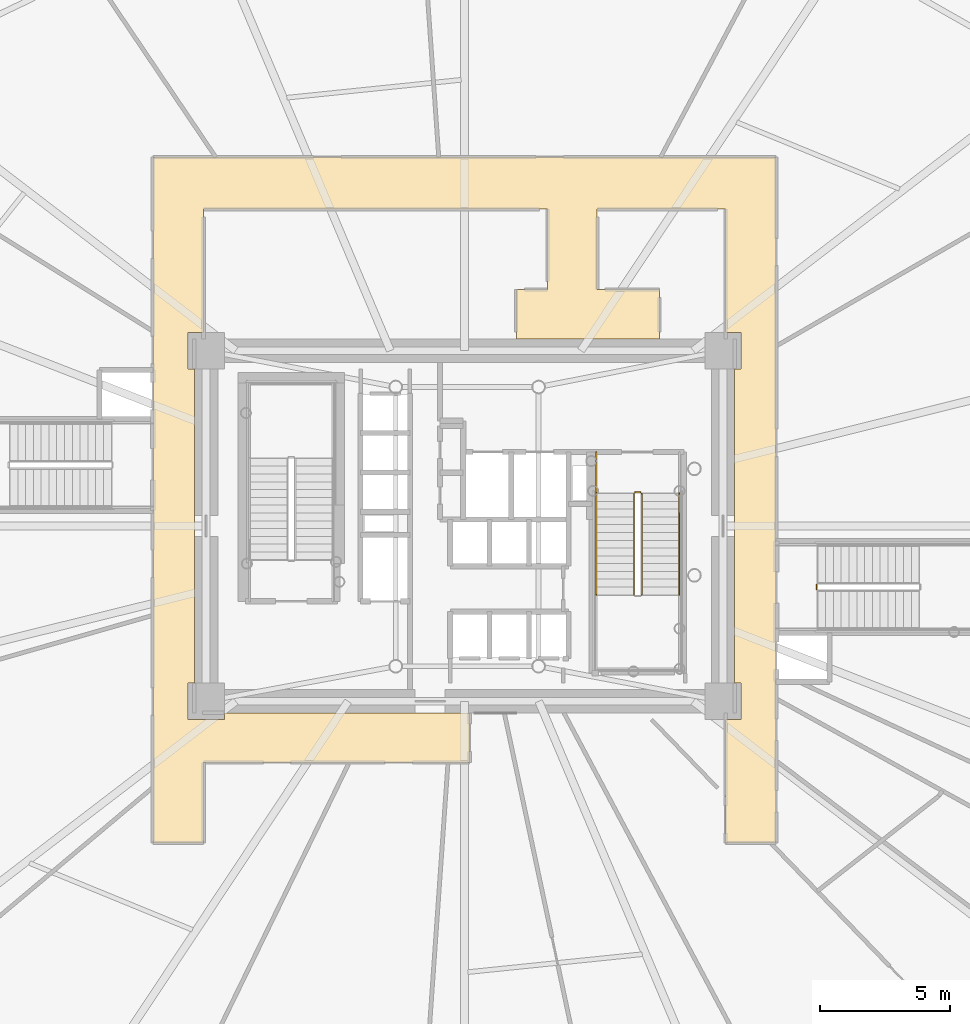
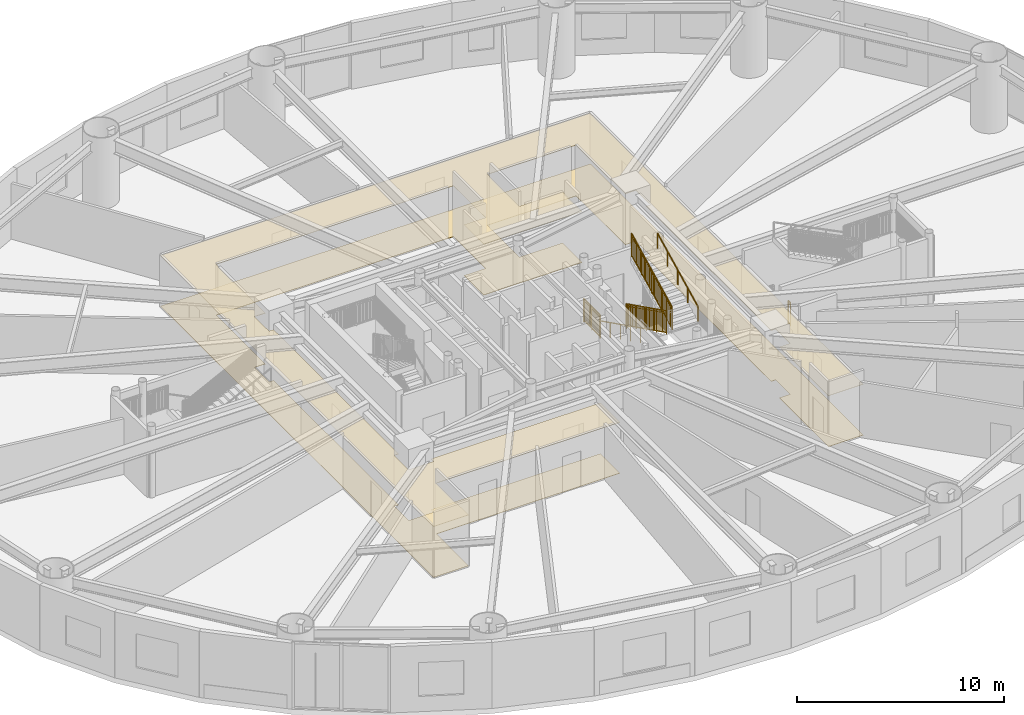
# One storey, part 24 of 27: 7 railings, 2 coverings.
"""IFC4 building model written with IfcOpenShell, lengths in metres."""

import ifcopenshell
import ifcopenshell.guid

model = None  # the IFC model being written
_history = None  # IfcOwnerHistory: only IFC2X3 demands one
_inside = {}  # id of a spatial element -> (the spatial element, [elements in it])
_under = {}  # id of a project, library or spatial element -> (it, [spatial elements below it])
_declared = {}  # id of a project -> (the project, [libraries it declares])
_typed = {}  # id of a type object -> (the type object, [elements of that type])
_made_of = {}  # id of a material, layer set ... -> (it, [elements and type objects made of it])


def new_model(schema):
    """Start an empty IFC model of exactly this schema.

    Asked for "IFC4X3", IfcOpenShell would pick the latest addendum, in which some entities
    have other attributes; the version numbers below select the first issue.
    IFC2X3 requires an IfcOwnerHistory on every rooted entity: one is made here for all.
    """
    global model, _history
    if schema == "IFC4X3":
        model = ifcopenshell.file(schema_version=(4, 3, 0, 0))
    else:
        model = ifcopenshell.file(schema=schema)
    _inside.clear()
    _under.clear()
    _declared.clear()
    _typed.clear()
    _made_of.clear()
    _history = None
    if model.schema == "IFC2X3":
        org = make("IfcOrganization", Name="unknown")
        user = make(
            "IfcPersonAndOrganization",
            ThePerson=make("IfcPerson", FamilyName="unknown"),
            TheOrganization=org,
        )
        app = make(
            "IfcApplication",
            ApplicationDeveloper=org,
            Version="unknown",
            ApplicationFullName="unknown",
            ApplicationIdentifier="unknown",
        )
        _history = make(
            "IfcOwnerHistory",
            OwningUser=user,
            OwningApplication=app,
            ChangeAction="ADDED",
            CreationDate=0,
        )
    return model


def make(cls, **values):
    """One entity of the class cls with the attributes given. An attribute that is None is left unset."""
    return model.create_entity(
        cls, **{name: value for name, value in values.items() if value is not None}
    )


def rooted(cls, **values):
    """An entity with a GlobalId (a new one), such as an element, a storey or a relation."""
    return make(cls, GlobalId=ifcopenshell.guid.new(), OwnerHistory=_history, **values)


def si_unit(unit_type, name, prefix=None):
    """IfcSIUnit, for example si_unit("LENGTHUNIT", "METRE", prefix="MILLI")."""
    return make("IfcSIUnit", UnitType=unit_type, Prefix=prefix, Name=name)


def assignment(units):
    """IfcUnitAssignment: the units of a project."""
    return None if units is None else make("IfcUnitAssignment", Units=units)


def point(xyz):
    """IfcCartesianPoint."""
    return None if xyz is None else make("IfcCartesianPoint", Coordinates=xyz)


def direction(xyz):
    """IfcDirection."""
    return None if xyz is None else make("IfcDirection", DirectionRatios=xyz)


def frame(location, z_axis=None, x_axis=None):
    """IfcAxis2Placement3D, a coordinate frame: its origin and axes. An axis left out is left unset."""
    return make(
        "IfcAxis2Placement3D",
        Location=point(location),
        Axis=direction(z_axis),
        RefDirection=direction(x_axis),
    )


def frame_2d(location, x_axis=None):
    """IfcAxis2Placement2D, a coordinate frame in the plane: its origin and x axis."""
    return make(
        "IfcAxis2Placement2D", Location=point(location), RefDirection=direction(x_axis)
    )


def origin():
    """The frame at (0, 0, 0) with its axes left unset."""
    return frame((0.0, 0.0, 0.0))


def origin_2d():
    """The frame at (0, 0) in the plane with its x axis left unset."""
    return frame_2d((0.0, 0.0))


def place(relative_to, where):
    """IfcLocalPlacement: puts the frame where relative to a parent placement (None: the world)."""
    return make(
        "IfcLocalPlacement", PlacementRelTo=relative_to, RelativePlacement=where
    )


def context(
    kind, dimensions, precision=None, world=None, true_north=None, identifier=None
):
    """IfcGeometricRepresentationContext, for example the 3D "Model" context."""
    return make(
        "IfcGeometricRepresentationContext",
        ContextIdentifier=identifier,
        ContextType=kind,
        CoordinateSpaceDimension=dimensions,
        Precision=precision,
        WorldCoordinateSystem=world,
        TrueNorth=true_north,
    )


def subcontext(parent, identifier, kind, view, scale=None):
    """IfcGeometricRepresentationSubContext, for example "Body" below "Model"."""
    return make(
        "IfcGeometricRepresentationSubContext",
        ContextIdentifier=identifier,
        ContextType=kind,
        ParentContext=parent,
        TargetScale=scale,
        TargetView=view,
    )


def project(units=None, contexts=None):
    """IfcProject with its units and contexts."""
    return rooted(
        "IfcProject",
        Name="project",
        RepresentationContexts=contexts,
        UnitsInContext=assignment(units),
    )


def spatial(cls, under=None, at=None, **own):
    """A site, building, storey or space (cls), placed at a placement, below another one or the project."""
    s = rooted(cls, ObjectPlacement=at, **own)
    if under is not None:
        _under.setdefault(under.id(), (under, []))[1].append(s)
    return s


def polyline(points):
    """IfcPolyline through the points."""
    return make("IfcPolyline", Points=[point(p) for p in points])


def profile(cls, at=None, kind="AREA", **sizes):
    """A parametric profile (cls). Its sizes go by their IFC names, for example OverallWidth=200.0."""
    return make(cls, ProfileType=kind, Position=at, **sizes)


def rectangle(**sizes):
    """IfcRectangleProfileDef."""
    return profile("IfcRectangleProfileDef", **sizes)


def outline(outer, holes=None, kind="AREA"):
    """IfcArbitraryClosedProfileDef: a profile drawn as a closed curve; with holes, ...WithVoids."""
    if holes is None:
        return make("IfcArbitraryClosedProfileDef", ProfileType=kind, OuterCurve=outer)
    return make(
        "IfcArbitraryProfileDefWithVoids",
        ProfileType=kind,
        OuterCurve=outer,
        InnerCurves=holes,
    )


def extrude(swept, where, along, depth):
    """IfcExtrudedAreaSolid: the profile swept, set in the frame where, extruded along a direction by depth."""
    return make(
        "IfcExtrudedAreaSolid",
        SweptArea=swept,
        Position=where,
        ExtrudedDirection=direction(along),
        Depth=depth,
    )


def shape(context_of_items, identifier, shape_type, items):
    """IfcShapeRepresentation: the items that make up one representation, for example the "Body"."""
    return make(
        "IfcShapeRepresentation",
        ContextOfItems=context_of_items,
        RepresentationIdentifier=identifier,
        RepresentationType=shape_type,
        Items=items,
    )


def source(mapping_origin, context_of_items, identifier, shape_type, items):
    """IfcRepresentationMap: a shape defined once, which mapped items show again and again."""
    return make(
        "IfcRepresentationMap",
        MappingOrigin=mapping_origin,
        MappedRepresentation=shape(context_of_items, identifier, shape_type, items),
    )


def transform(
    local_origin,
    x_axis=None,
    y_axis=None,
    z_axis=None,
    scale=None,
    scale2=None,
    scale3=None,
    uniform=True,
):
    """IfcCartesianTransformationOperator3D, or its non-uniform kind. x_axis, y_axis, z_axis: its Axis1, 2, 3."""
    if uniform:
        return make(
            "IfcCartesianTransformationOperator3D",
            Axis1=direction(x_axis),
            Axis2=direction(y_axis),
            LocalOrigin=point(local_origin),
            Scale=scale,
            Axis3=direction(z_axis),
        )
    return make(
        "IfcCartesianTransformationOperator3DnonUniform",
        Axis1=direction(x_axis),
        Axis2=direction(y_axis),
        LocalOrigin=point(local_origin),
        Scale=scale,
        Axis3=direction(z_axis),
        Scale2=scale2,
        Scale3=scale3,
    )


def mapped(mapping_source, mapping_target):
    """IfcMappedItem: shows the shape of a source again, moved by a transform."""
    return make(
        "IfcMappedItem", MappingSource=mapping_source, MappingTarget=mapping_target
    )


def material(Name=None, Category=None):
    """IfcMaterial."""
    return make("IfcMaterial", Name=Name, Category=Category)


def layer(
    of_material, thickness, ventilated=None, Name=None, Category=None, Priority=None
):
    """IfcMaterialLayer: one layer of a wall or slab, of a material (None: an air gap)."""
    return make(
        "IfcMaterialLayer",
        Material=of_material,
        LayerThickness=thickness,
        IsVentilated=ventilated,
        Name=Name,
        Category=Category,
        Priority=Priority,
    )


def layer_set(layers, Name=None):
    """IfcMaterialLayerSet."""
    return make("IfcMaterialLayerSet", MaterialLayers=layers, LayerSetName=Name)


def made_of(thing, what):
    """Note that an element or type object is made of a material, layer set ...; save() writes the relation."""
    if what is not None:
        _made_of.setdefault(what.id(), (what, []))[1].append(thing)
    return thing


def type_object(cls, material=None, **own):
    """A type object (cls), such as IfcWallType, which elements share."""
    return made_of(rooted(cls, **own), material)


def element(
    cls,
    number,
    at=None,
    inside=None,
    cuts=None,
    type_object=None,
    material=None,
    context=None,
    identifier="Body",
    shape_type=None,
    held_by="IfcProductDefinitionShape",
    body=None,
    shapes=None,
    **own,
):
    """One element of the class cls, such as IfcWall. Its Tag is "e" and its number.

    at: its placement. inside: the storey or other place that contains it. cuts: it is an
    opening in that element (IfcRelVoidsElement). A single representation is given by context,
    identifier, shape_type and body (its items); several are given by shapes. held_by: the class
    of the entity that holds the representations. save() writes the other relations.
    """
    e = rooted(cls, Tag="e%d" % number, ObjectPlacement=at, **own)
    if body is not None:
        shapes = [shape(context, identifier, shape_type, body)]
    if shapes is not None:
        e.Representation = make(held_by, Representations=shapes)
    if inside is not None:
        _inside.setdefault(inside.id(), (inside, []))[1].append(e)
    if cuts is not None:
        rooted(
            "IfcRelVoidsElement", RelatingBuildingElement=cuts, RelatedOpeningElement=e
        )
    if type_object is not None:
        _typed.setdefault(type_object.id(), (type_object, []))[1].append(e)
    return made_of(e, material)


def aggregate(whole, parts):
    """IfcRelAggregates: a whole, such as a stair, and the parts it consists of."""
    return rooted("IfcRelAggregates", RelatingObject=whole, RelatedObjects=parts)


def save(model, path):
    """Write the relations noted so far, then the file.

    IfcRelAggregates (storeys below a building ...), IfcRelContainedInSpatialStructure (elements
    in a storey), IfcRelDefinesByType, IfcRelAssociatesMaterial and IfcRelDeclares: one each for
    every whole, place, type object, material and project.
    """
    for whole, parts in _under.values():
        aggregate(whole, parts)
    for where, things in _inside.values():
        rooted(
            "IfcRelContainedInSpatialStructure",
            RelatedElements=things,
            RelatingStructure=where,
        )
    for kind, things in _typed.values():
        rooted("IfcRelDefinesByType", RelatedObjects=things, RelatingType=kind)
    for what, things in _made_of.values():
        rooted("IfcRelAssociatesMaterial", RelatedObjects=things, RelatingMaterial=what)
    for by, libraries in _declared.values():
        rooted("IfcRelDeclares", RelatingContext=by, RelatedDefinitions=libraries)
    model.write(path)


model = new_model("IFC4")

# Units and contexts
model_context = context("Model", 3, precision=1e-05, world=origin(), true_north=direction((0.0, 1.0)))
body_context = subcontext(model_context, "Body", "Model", "MODEL_VIEW")
ifc_project = project(units=[si_unit("LENGTHUNIT", "METRE"), si_unit("AREAUNIT", "SQUARE_METRE"), si_unit("VOLUMEUNIT", "CUBIC_METRE"), si_unit("PLANEANGLEUNIT", "RADIAN"), si_unit("MASSUNIT", "GRAM", prefix="KILO")], contexts=[model_context])

# Site, building, storey
site_placement = place(None, origin())
site = spatial("IfcSite", under=ifc_project, at=site_placement, CompositionType="ELEMENT")
building_placement = place(site_placement, origin())
building = spatial("IfcBuilding", under=site, at=building_placement, Name="Linh Dai School and Residence Tower", CompositionType="ELEMENT")
storey_placement = place(building_placement, frame((0.0, 0.0, 18.60009765625)))
storey = spatial("IfcBuildingStorey", under=building, at=storey_placement, Name="L04", CompositionType="ELEMENT", Elevation=18.60009765625)

# Coverings
ifc_material_1 = material(Name="Mineral Fibre Acoustic Suspended Ceiling", Category="masonry")
ifc_layer_1 = layer(ifc_material_1, 0.02001953125)
ifc_layer_set_1 = layer_set([ifc_layer_1], Name="Mineral Fibre Acoustic Suspended Ceiling")
covering_type_1 = type_object("IfcCoveringType", Name="COV-CEIL-AC-20", PredefinedType="CEILING", material=ifc_layer_set_1)
covering_1_placement = place(storey_placement, frame((0.0, 0.0, 3.0)))
element("IfcCovering", 1, at=covering_1_placement, inside=storey, type_object=covering_type_1, Name="L04 School Circulation Ring Corridor Suspended Ceiling", PredefinedType="CEILING", context=body_context, shape_type="SweptSolid", body=[
    extrude(outline(polyline([(24.0, 41.199951171875), (48.0, 41.199951171875), (48.0, 14.800048828125), (46.050048828125, 14.800048828125), (46.050048828125, 19.550048828125), (46.64990234375, 19.550048828125), (46.64990234375, 20.949951171875), (46.39990234375, 20.949951171875), (46.39990234375, 33.050048828125), (46.64990234375, 33.050048828125), (46.64990234375, 34.449951171875), (46.050048828125, 34.449951171875), (46.050048828125, 39.199951171875), (41.10009765625, 39.199951171875), (41.10009765625, 36.10009765625), (43.5, 36.10009765625), (43.5, 34.199951171875), (38.0, 34.199951171875), (38.0, 36.10009765625), (39.199951171875, 36.10009765625), (39.199951171875, 39.199951171875), (25.949951171875, 39.199951171875), (25.949951171875, 34.449951171875), (25.35009765625, 34.449951171875), (25.35009765625, 33.050048828125), (25.60009765625, 33.050048828125), (25.60009765625, 20.949951171875), (25.35009765625, 20.949951171875), (25.35009765625, 19.550048828125), (26.75, 19.550048828125), (26.75, 19.800048828125), (36.199951171875, 19.800048828125), (36.199951171875, 17.89990234375), (25.949951171875, 17.89990234375), (25.949951171875, 14.800048828125), (24.0, 14.800048828125), (24.0, 41.199951171875)])), origin(), (0.0, 0.0, 1.0), 0.02001953125),
])
ifc_material_2 = material(Name="Polished Terrazzo Floor Finish", Category="masonry")
ifc_layer_2 = layer(ifc_material_2, 0.02490234375)
ifc_layer_set_2 = layer_set([ifc_layer_2], Name="Polished Terrazzo Floor Finish")
covering_type_2 = type_object("IfcCoveringType", Name="COV-FLR-TRZ-25", PredefinedType="FLOORING", material=ifc_layer_set_2)
covering_2_placement = place(storey_placement, origin())
element("IfcCovering", 2, at=covering_2_placement, inside=storey, type_object=covering_type_2, Name="L04 School Circulation Ring Corridor Floor Finish", PredefinedType="FLOORING", context=body_context, shape_type="SweptSolid", body=[
    extrude(outline(polyline([(24.0, 41.199951171875), (48.0, 41.199951171875), (48.0, 14.800048828125), (46.050048828125, 14.800048828125), (46.050048828125, 19.550048828125), (46.64990234375, 19.550048828125), (46.64990234375, 20.949951171875), (46.39990234375, 20.949951171875), (46.39990234375, 33.050048828125), (46.64990234375, 33.050048828125), (46.64990234375, 34.449951171875), (46.050048828125, 34.449951171875), (46.050048828125, 39.199951171875), (41.10009765625, 39.199951171875), (41.10009765625, 36.10009765625), (43.5, 36.10009765625), (43.5, 34.199951171875), (38.0, 34.199951171875), (38.0, 36.10009765625), (39.199951171875, 36.10009765625), (39.199951171875, 39.199951171875), (25.949951171875, 39.199951171875), (25.949951171875, 34.449951171875), (25.35009765625, 34.449951171875), (25.35009765625, 33.050048828125), (25.60009765625, 33.050048828125), (25.60009765625, 20.949951171875), (25.35009765625, 20.949951171875), (25.35009765625, 19.550048828125), (26.75, 19.550048828125), (26.75, 19.800048828125), (36.199951171875, 19.800048828125), (36.199951171875, 17.89990234375), (25.949951171875, 17.89990234375), (25.949951171875, 14.800048828125), (24.0, 14.800048828125), (24.0, 41.199951171875)])), origin(), (0.0, 0.0, 1.0), 0.02001953125),
])

# Railings
ifc_material_3 = material(Name="Structural Steel S355JR", Category="steel")
railing_type_1 = type_object("IfcRailingType", Name="RL-ST-GUARD-1400", PredefinedType="GUARDRAIL", material=ifc_material_3)
shared_shape_1 = source(origin(), body_context, "Body", "SweptSolid", [
    extrude(rectangle(XDim=0.048095703125, YDim=0.048095703125, at=origin_2d()), frame((0.0, 0.0, 1.3759765625), z_axis=(1.0, 0.0, 0.0), x_axis=(0.0, 1.0, 0.0)), (0.0, 0.0, 1.0), 0.199951171875),
    extrude(rectangle(XDim=0.048095703125, YDim=0.048095703125, at=origin_2d()), frame((0.0, 0.0, 0.10009765625), z_axis=(1.0, 0.0, 0.0), x_axis=(0.0, 1.0, 0.0)), (0.0, 0.0, 1.0), 0.199951171875),
    extrude(rectangle(XDim=0.030029296875, YDim=0.030029296875, at=origin_2d()), frame((0.0, 0.0, 1.239990234375), z_axis=(1.0, 0.0, 0.0), x_axis=(0.0, 1.0, 0.0)), (0.0, 0.0, 1.0), 0.199951171875),
    extrude(rectangle(XDim=0.0419921875, YDim=0.0419921875, at=origin_2d()), origin(), (0.0, 0.0, 1.0), 1.3759765625),
    extrude(rectangle(XDim=0.0419921875, YDim=0.0419921875, at=origin_2d()), frame((0.199951171875, 0.0, 0.0)), (0.0, 0.0, 1.0), 1.3759765625),
])
railing_1_placement = place(storey_placement, frame((42.570068359375, 28.300048828125, 0.0)))
element("IfcRailing", 3, at=railing_1_placement, inside=storey, type_object=railing_type_1, Name="L04 ST2 stair guard 7", PredefinedType="GUARDRAIL", context=body_context, shape_type="MappedRepresentation", body=[
    mapped(shared_shape_1, transform((0.0, 0.0, 0.0), x_axis=(1.0, 0.0, 0.0), y_axis=(0.0, 1.0, 0.0), z_axis=(0.0, 0.0, 1.0), scale=1.0)),
])
shared_shape_2 = source(origin(), body_context, "Body", "SweptSolid", [
    extrude(rectangle(XDim=0.048095703125, YDim=0.048095703125, at=origin_2d()), frame((0.0, 0.0, 1.3759765625), z_axis=(0.0, -1.0, 0.0), x_axis=(1.0, 0.0, 0.0)), (0.0, 0.0, 1.0), 1.60009765625),
    extrude(rectangle(XDim=0.048095703125, YDim=0.048095703125, at=origin_2d()), frame((0.0, 0.0, 0.10009765625), z_axis=(0.0, -1.0, 0.0), x_axis=(1.0, 0.0, 0.0)), (0.0, 0.0, 1.0), 1.60009765625),
    extrude(rectangle(XDim=0.030029296875, YDim=0.030029296875, at=origin_2d()), frame((0.0, 0.0, 1.239990234375), z_axis=(0.0, -1.0, 0.0), x_axis=(1.0, 0.0, 0.0)), (0.0, 0.0, 1.0), 1.60009765625),
    extrude(rectangle(XDim=0.02001953125, YDim=0.02001953125, at=origin_2d()), frame((0.0, -0.09423828125, 0.10009765625)), (0.0, 0.0, 1.0), 1.251708984375),
    extrude(rectangle(XDim=0.02001953125, YDim=0.02001953125, at=origin_2d()), frame((0.0, -0.188232421875, 0.10009765625)), (0.0, 0.0, 1.0), 1.251708984375),
    extrude(rectangle(XDim=0.02001953125, YDim=0.02001953125, at=origin_2d()), frame((0.0, -0.282470703125, 0.10009765625)), (0.0, 0.0, 1.0), 1.251708984375),
    extrude(rectangle(XDim=0.02001953125, YDim=0.02001953125, at=origin_2d()), frame((0.0, -0.37646484375, 0.10009765625)), (0.0, 0.0, 1.0), 1.251708984375),
    extrude(rectangle(XDim=0.02001953125, YDim=0.02001953125, at=origin_2d()), frame((0.0, -0.470703125, 0.10009765625)), (0.0, 0.0, 1.0), 1.251708984375),
    extrude(rectangle(XDim=0.02001953125, YDim=0.02001953125, at=origin_2d()), frame((0.0, -0.564697265625, 0.10009765625)), (0.0, 0.0, 1.0), 1.251708984375),
    extrude(rectangle(XDim=0.02001953125, YDim=0.02001953125, at=origin_2d()), frame((0.0, -0.658935546875, 0.10009765625)), (0.0, 0.0, 1.0), 1.251708984375),
    extrude(rectangle(XDim=0.02001953125, YDim=0.02001953125, at=origin_2d()), frame((0.0, -0.7529296875, 0.10009765625)), (0.0, 0.0, 1.0), 1.251708984375),
    extrude(rectangle(XDim=0.02001953125, YDim=0.02001953125, at=origin_2d()), frame((0.0, -0.84716796875, 0.10009765625)), (0.0, 0.0, 1.0), 1.251708984375),
    extrude(rectangle(XDim=0.02001953125, YDim=0.02001953125, at=origin_2d()), frame((0.0, -0.941162109375, 0.10009765625)), (0.0, 0.0, 1.0), 1.251708984375),
    extrude(rectangle(XDim=0.02001953125, YDim=0.02001953125, at=origin_2d()), frame((0.0, -1.035400390625, 0.10009765625)), (0.0, 0.0, 1.0), 1.251708984375),
    extrude(rectangle(XDim=0.02001953125, YDim=0.02001953125, at=origin_2d()), frame((0.0, -1.12939453125, 0.10009765625)), (0.0, 0.0, 1.0), 1.251708984375),
    extrude(rectangle(XDim=0.02001953125, YDim=0.02001953125, at=origin_2d()), frame((0.0, -1.2236328125, 0.10009765625)), (0.0, 0.0, 1.0), 1.251708984375),
    extrude(rectangle(XDim=0.02001953125, YDim=0.02001953125, at=origin_2d()), frame((0.0, -1.317626953125, 0.10009765625)), (0.0, 0.0, 1.0), 1.251708984375),
    extrude(rectangle(XDim=0.02001953125, YDim=0.02001953125, at=origin_2d()), frame((0.0, -1.411865234375, 0.10009765625)), (0.0, 0.0, 1.0), 1.251708984375),
    extrude(rectangle(XDim=0.02001953125, YDim=0.02001953125, at=origin_2d()), frame((0.0, -1.505859375, 0.10009765625)), (0.0, 0.0, 1.0), 1.251708984375),
    extrude(rectangle(XDim=0.0419921875, YDim=0.0419921875, at=origin_2d()), origin(), (0.0, 0.0, 1.0), 1.3759765625),
    extrude(rectangle(XDim=0.0419921875, YDim=0.0419921875, at=origin_2d()), frame((0.0, -0.800048828125, 0.0)), (0.0, 0.0, 1.0), 1.3759765625),
    extrude(rectangle(XDim=0.0419921875, YDim=0.0419921875, at=origin_2d()), frame((0.0, -1.60009765625, 0.0)), (0.0, 0.0, 1.0), 1.3759765625),
])
railing_2_placement = place(storey_placement, frame((41.070068359375, 29.85009765625, 0.0)))
element("IfcRailing", 4, at=railing_2_placement, inside=storey, type_object=railing_type_1, Name="L04 ST2 stair guard 8", PredefinedType="GUARDRAIL", context=body_context, shape_type="MappedRepresentation", body=[
    mapped(shared_shape_2, transform((0.0, 0.0, 0.0), x_axis=(1.0, 0.0, 0.0), y_axis=(0.0, 1.0, 0.0), z_axis=(0.0, 0.0, 1.0), scale=1.0)),
])
shared_shape_3 = source(origin(), body_context, "Body", "SweptSolid", [
    extrude(rectangle(XDim=0.048095703125, YDim=0.048095703125, at=origin_2d()), frame((0.0, 0.0, 1.3759765625), z_axis=(0.0, 0.894427191, 0.4472135955), x_axis=(-1.0, 0.0, 0.0)), (0.0, 0.0, 1.0), 4.360107421875),
    extrude(rectangle(XDim=0.048095703125, YDim=0.048095703125, at=origin_2d()), frame((0.0, 0.0, 0.10009765625), z_axis=(0.0, 0.894427191, 0.4472135955), x_axis=(-1.0, 0.0, 0.0)), (0.0, 0.0, 1.0), 4.360107421875),
    extrude(rectangle(XDim=0.030029296875, YDim=0.030029296875, at=origin_2d()), frame((0.0, 0.0, 1.239990234375), z_axis=(0.0, 0.894427191, 0.4472135955), x_axis=(-1.0, 0.0, 0.0)), (0.0, 0.0, 1.0), 4.360107421875),
    extrude(rectangle(XDim=0.02001953125, YDim=0.02001953125, at=origin_2d()), frame((0.0, 0.086669921875, 0.143310546875)), (0.0, 0.0, 1.0), 1.251708984375),
    extrude(rectangle(XDim=0.02001953125, YDim=0.02001953125, at=origin_2d()), frame((0.0, 0.17333984375, 0.186767578125)), (0.0, 0.0, 1.0), 1.251708984375),
    extrude(rectangle(XDim=0.02001953125, YDim=0.02001953125, at=origin_2d()), frame((0.0, 0.260009765625, 0.22998046875)), (0.0, 0.0, 1.0), 1.251708984375),
    extrude(rectangle(XDim=0.02001953125, YDim=0.02001953125, at=origin_2d()), frame((0.0, 0.3466796875, 0.2734375)), (0.0, 0.0, 1.0), 1.251708984375),
    extrude(rectangle(XDim=0.02001953125, YDim=0.02001953125, at=origin_2d()), frame((0.0, 0.433349609375, 0.316650390625)), (0.0, 0.0, 1.0), 1.251708984375),
    extrude(rectangle(XDim=0.02001953125, YDim=0.02001953125, at=origin_2d()), frame((0.0, 0.52001953125, 0.360107421875)), (0.0, 0.0, 1.0), 1.251708984375),
    extrude(rectangle(XDim=0.02001953125, YDim=0.02001953125, at=origin_2d()), frame((0.0, 0.606689453125, 0.4033203125)), (0.0, 0.0, 1.0), 1.251708984375),
    extrude(rectangle(XDim=0.02001953125, YDim=0.02001953125, at=origin_2d()), frame((0.0, 0.693359375, 0.44677734375)), (0.0, 0.0, 1.0), 1.251708984375),
    extrude(rectangle(XDim=0.02001953125, YDim=0.02001953125, at=origin_2d()), frame((0.0, 0.780029296875, 0.489990234375)), (0.0, 0.0, 1.0), 1.251708984375),
    extrude(rectangle(XDim=0.02001953125, YDim=0.02001953125, at=origin_2d()), frame((0.0, 0.86669921875, 0.533447265625)), (0.0, 0.0, 1.0), 1.251708984375),
    extrude(rectangle(XDim=0.02001953125, YDim=0.02001953125, at=origin_2d()), frame((0.0, 1.0400390625, 0.6201171875)), (0.0, 0.0, 1.0), 1.251708984375),
    extrude(rectangle(XDim=0.02001953125, YDim=0.02001953125, at=origin_2d()), frame((0.0, 1.126708984375, 0.663330078125)), (0.0, 0.0, 1.0), 1.251708984375),
    extrude(rectangle(XDim=0.02001953125, YDim=0.02001953125, at=origin_2d()), frame((0.0, 1.21337890625, 0.706787109375)), (0.0, 0.0, 1.0), 1.251708984375),
    extrude(rectangle(XDim=0.02001953125, YDim=0.02001953125, at=origin_2d()), frame((0.0, 1.300048828125, 0.75)), (0.0, 0.0, 1.0), 1.251708984375),
    extrude(rectangle(XDim=0.02001953125, YDim=0.02001953125, at=origin_2d()), frame((0.0, 1.38671875, 0.79345703125)), (0.0, 0.0, 1.0), 1.251708984375),
    extrude(rectangle(XDim=0.02001953125, YDim=0.02001953125, at=origin_2d()), frame((0.0, 1.473388671875, 0.836669921875)), (0.0, 0.0, 1.0), 1.251708984375),
    extrude(rectangle(XDim=0.02001953125, YDim=0.02001953125, at=origin_2d()), frame((0.0, 1.56005859375, 0.880126953125)), (0.0, 0.0, 1.0), 1.251708984375),
    extrude(rectangle(XDim=0.02001953125, YDim=0.02001953125, at=origin_2d()), frame((0.0, 1.646728515625, 0.92333984375)), (0.0, 0.0, 1.0), 1.251708984375),
    extrude(rectangle(XDim=0.02001953125, YDim=0.02001953125, at=origin_2d()), frame((0.0, 1.7333984375, 0.966796875)), (0.0, 0.0, 1.0), 1.251708984375),
    extrude(rectangle(XDim=0.02001953125, YDim=0.02001953125, at=origin_2d()), frame((0.0, 1.820068359375, 1.010009765625)), (0.0, 0.0, 1.0), 1.251708984375),
    extrude(rectangle(XDim=0.02001953125, YDim=0.02001953125, at=origin_2d()), frame((0.0, 1.90673828125, 1.053466796875)), (0.0, 0.0, 1.0), 1.251708984375),
    extrude(rectangle(XDim=0.02001953125, YDim=0.02001953125, at=origin_2d()), frame((0.0, 1.9931640625, 1.0966796875)), (0.0, 0.0, 1.0), 1.251708984375),
    extrude(rectangle(XDim=0.02001953125, YDim=0.02001953125, at=origin_2d()), frame((0.0, 2.079833984375, 1.14013671875)), (0.0, 0.0, 1.0), 1.251708984375),
    extrude(rectangle(XDim=0.02001953125, YDim=0.02001953125, at=origin_2d()), frame((0.0, 2.16650390625, 1.183349609375)), (0.0, 0.0, 1.0), 1.251708984375),
    extrude(rectangle(XDim=0.02001953125, YDim=0.02001953125, at=origin_2d()), frame((0.0, 2.253173828125, 1.226806640625)), (0.0, 0.0, 1.0), 1.251708984375),
    extrude(rectangle(XDim=0.02001953125, YDim=0.02001953125, at=origin_2d()), frame((0.0, 2.33984375, 1.27001953125)), (0.0, 0.0, 1.0), 1.251708984375),
    extrude(rectangle(XDim=0.02001953125, YDim=0.02001953125, at=origin_2d()), frame((0.0, 2.426513671875, 1.3134765625)), (0.0, 0.0, 1.0), 1.251708984375),
    extrude(rectangle(XDim=0.02001953125, YDim=0.02001953125, at=origin_2d()), frame((0.0, 2.51318359375, 1.356689453125)), (0.0, 0.0, 1.0), 1.251708984375),
    extrude(rectangle(XDim=0.02001953125, YDim=0.02001953125, at=origin_2d()), frame((0.0, 2.599853515625, 1.400146484375)), (0.0, 0.0, 1.0), 1.251708984375),
    extrude(rectangle(XDim=0.02001953125, YDim=0.02001953125, at=origin_2d()), frame((0.0, 2.6865234375, 1.443359375)), (0.0, 0.0, 1.0), 1.251708984375),
    extrude(rectangle(XDim=0.02001953125, YDim=0.02001953125, at=origin_2d()), frame((0.0, 2.773193359375, 1.48681640625)), (0.0, 0.0, 1.0), 1.251708984375),
    extrude(rectangle(XDim=0.02001953125, YDim=0.02001953125, at=origin_2d()), frame((0.0, 2.85986328125, 1.530029296875)), (0.0, 0.0, 1.0), 1.251708984375),
    extrude(rectangle(XDim=0.02001953125, YDim=0.02001953125, at=origin_2d()), frame((0.0, 3.033203125, 1.61669921875)), (0.0, 0.0, 1.0), 1.251708984375),
    extrude(rectangle(XDim=0.02001953125, YDim=0.02001953125, at=origin_2d()), frame((0.0, 3.119873046875, 1.66015625)), (0.0, 0.0, 1.0), 1.251708984375),
    extrude(rectangle(XDim=0.02001953125, YDim=0.02001953125, at=origin_2d()), frame((0.0, 3.20654296875, 1.703369140625)), (0.0, 0.0, 1.0), 1.251708984375),
    extrude(rectangle(XDim=0.02001953125, YDim=0.02001953125, at=origin_2d()), frame((0.0, 3.293212890625, 1.746826171875)), (0.0, 0.0, 1.0), 1.251708984375),
    extrude(rectangle(XDim=0.02001953125, YDim=0.02001953125, at=origin_2d()), frame((0.0, 3.3798828125, 1.7900390625)), (0.0, 0.0, 1.0), 1.251708984375),
    extrude(rectangle(XDim=0.02001953125, YDim=0.02001953125, at=origin_2d()), frame((0.0, 3.466552734375, 1.83349609375)), (0.0, 0.0, 1.0), 1.251708984375),
    extrude(rectangle(XDim=0.02001953125, YDim=0.02001953125, at=origin_2d()), frame((0.0, 3.55322265625, 1.876708984375)), (0.0, 0.0, 1.0), 1.251708984375),
    extrude(rectangle(XDim=0.02001953125, YDim=0.02001953125, at=origin_2d()), frame((0.0, 3.639892578125, 1.920166015625)), (0.0, 0.0, 1.0), 1.251708984375),
    extrude(rectangle(XDim=0.02001953125, YDim=0.02001953125, at=origin_2d()), frame((0.0, 3.7265625, 1.96337890625)), (0.0, 0.0, 1.0), 1.251708984375),
    extrude(rectangle(XDim=0.02001953125, YDim=0.02001953125, at=origin_2d()), frame((0.0, 3.813232421875, 2.0068359375)), (0.0, 0.0, 1.0), 1.251708984375),
    extrude(rectangle(XDim=0.0419921875, YDim=0.0419921875, at=origin_2d()), origin(), (0.0, 0.0, 1.0), 1.3759765625),
    extrude(rectangle(XDim=0.0419921875, YDim=0.0419921875, at=origin_2d()), frame((0.0, 0.97509765625, 0.487548828125)), (0.0, 0.0, 1.0), 1.3759765625),
    extrude(rectangle(XDim=0.0419921875, YDim=0.0419921875, at=origin_2d()), frame((0.0, 1.949951171875, 0.97509765625)), (0.0, 0.0, 1.0), 1.3759765625),
    extrude(rectangle(XDim=0.0419921875, YDim=0.0419921875, at=origin_2d()), frame((0.0, 2.9248046875, 1.46240234375)), (0.0, 0.0, 1.0), 1.3759765625),
    extrude(rectangle(XDim=0.0419921875, YDim=0.0419921875, at=origin_2d()), frame((0.0, 3.89990234375, 1.949951171875)), (0.0, 0.0, 1.0), 1.3759765625),
])
railing_3_placement = place(storey_placement, frame((42.820068359375, 24.35009765625, 2.25)))
element("IfcRailing", 5, at=railing_3_placement, inside=storey, type_object=railing_type_1, Name="L04 ST2 stair guard 6", PredefinedType="GUARDRAIL", context=body_context, shape_type="MappedRepresentation", body=[
    mapped(shared_shape_3, transform((0.0, 0.0, 0.0), x_axis=(1.0, 0.0, 0.0), y_axis=(0.0, 1.0, 0.0), z_axis=(0.0, 0.0, 1.0), scale=1.0)),
])
ifc_material_4 = material(Name="Brushed Stainless Steel Handrail", Category="steel")
railing_type_2 = type_object("IfcRailingType", Name="RL-ST-HANDRAIL-900", PredefinedType="HANDRAIL", material=ifc_material_4)
shared_shape_4 = source(origin(), body_context, "Body", "SweptSolid", [
    extrude(rectangle(XDim=0.048095703125, YDim=0.048095703125, at=origin_2d()), frame((0.0, 0.0, 0.8759765625), z_axis=(0.0, 0.894427191, 0.4472135955), x_axis=(-1.0, 0.0, 0.0)), (0.0, 0.0, 1.0), 4.360107421875),
    extrude(rectangle(XDim=0.0419921875, YDim=0.0419921875, at=origin_2d()), origin(), (0.0, 0.0, 1.0), 0.8759765625),
    extrude(rectangle(XDim=0.0419921875, YDim=0.0419921875, at=origin_2d()), frame((0.0, 0.97509765625, 0.487548828125)), (0.0, 0.0, 1.0), 0.8759765625),
    extrude(rectangle(XDim=0.0419921875, YDim=0.0419921875, at=origin_2d()), frame((0.0, 1.949951171875, 0.97509765625)), (0.0, 0.0, 1.0), 0.8759765625),
    extrude(rectangle(XDim=0.0419921875, YDim=0.0419921875, at=origin_2d()), frame((0.0, 2.9248046875, 1.46240234375)), (0.0, 0.0, 1.0), 0.8759765625),
    extrude(rectangle(XDim=0.0419921875, YDim=0.0419921875, at=origin_2d()), frame((0.0, 3.89990234375, 1.949951171875)), (0.0, 0.0, 1.0), 0.8759765625),
])
railing_4_placement = place(storey_placement, frame((44.27001953125, 24.35009765625, 2.25)))
element("IfcRailing", 6, at=railing_4_placement, inside=storey, type_object=railing_type_2, Name="L04 ST2 stair handrail 2", PredefinedType="HANDRAIL", context=body_context, shape_type="MappedRepresentation", body=[
    mapped(shared_shape_4, transform((0.0, 0.0, 0.0), x_axis=(1.0, 0.0, 0.0), y_axis=(0.0, 1.0, 0.0), z_axis=(0.0, 0.0, 1.0), scale=1.0)),
])
shared_shape_5 = source(origin(), body_context, "Body", "SweptSolid", [
    extrude(rectangle(XDim=0.048095703125, YDim=0.048095703125, at=origin_2d()), frame((0.0, 0.0, 1.3759765625), z_axis=(0.0, -0.894427191, 0.4472135955), x_axis=(1.0, 0.0, 0.0)), (0.0, 0.0, 1.0), 4.360107421875),
    extrude(rectangle(XDim=0.048095703125, YDim=0.048095703125, at=origin_2d()), frame((0.0, 0.0, 0.10009765625), z_axis=(0.0, -0.894427191, 0.4472135955), x_axis=(1.0, 0.0, 0.0)), (0.0, 0.0, 1.0), 4.360107421875),
    extrude(rectangle(XDim=0.030029296875, YDim=0.030029296875, at=origin_2d()), frame((0.0, 0.0, 1.239990234375), z_axis=(0.0, -0.894427191, 0.4472135955), x_axis=(1.0, 0.0, 0.0)), (0.0, 0.0, 1.0), 4.360107421875),
    extrude(rectangle(XDim=0.02001953125, YDim=0.02001953125, at=origin_2d()), frame((0.0, -0.086669921875, 0.143310546875)), (0.0, 0.0, 1.0), 1.251708984375),
    extrude(rectangle(XDim=0.02001953125, YDim=0.02001953125, at=origin_2d()), frame((0.0, -0.17333984375, 0.186767578125)), (0.0, 0.0, 1.0), 1.251708984375),
    extrude(rectangle(XDim=0.02001953125, YDim=0.02001953125, at=origin_2d()), frame((0.0, -0.260009765625, 0.22998046875)), (0.0, 0.0, 1.0), 1.251708984375),
    extrude(rectangle(XDim=0.02001953125, YDim=0.02001953125, at=origin_2d()), frame((0.0, -0.3466796875, 0.2734375)), (0.0, 0.0, 1.0), 1.251708984375),
    extrude(rectangle(XDim=0.02001953125, YDim=0.02001953125, at=origin_2d()), frame((0.0, -0.433349609375, 0.316650390625)), (0.0, 0.0, 1.0), 1.251708984375),
    extrude(rectangle(XDim=0.02001953125, YDim=0.02001953125, at=origin_2d()), frame((0.0, -0.52001953125, 0.360107421875)), (0.0, 0.0, 1.0), 1.251708984375),
    extrude(rectangle(XDim=0.02001953125, YDim=0.02001953125, at=origin_2d()), frame((0.0, -0.606689453125, 0.4033203125)), (0.0, 0.0, 1.0), 1.251708984375),
    extrude(rectangle(XDim=0.02001953125, YDim=0.02001953125, at=origin_2d()), frame((0.0, -0.693359375, 0.44677734375)), (0.0, 0.0, 1.0), 1.251708984375),
    extrude(rectangle(XDim=0.02001953125, YDim=0.02001953125, at=origin_2d()), frame((0.0, -0.780029296875, 0.489990234375)), (0.0, 0.0, 1.0), 1.251708984375),
    extrude(rectangle(XDim=0.02001953125, YDim=0.02001953125, at=origin_2d()), frame((0.0, -0.86669921875, 0.533447265625)), (0.0, 0.0, 1.0), 1.251708984375),
    extrude(rectangle(XDim=0.02001953125, YDim=0.02001953125, at=origin_2d()), frame((0.0, -1.0400390625, 0.6201171875)), (0.0, 0.0, 1.0), 1.251708984375),
    extrude(rectangle(XDim=0.02001953125, YDim=0.02001953125, at=origin_2d()), frame((0.0, -1.126708984375, 0.663330078125)), (0.0, 0.0, 1.0), 1.251708984375),
    extrude(rectangle(XDim=0.02001953125, YDim=0.02001953125, at=origin_2d()), frame((0.0, -1.21337890625, 0.706787109375)), (0.0, 0.0, 1.0), 1.251708984375),
    extrude(rectangle(XDim=0.02001953125, YDim=0.02001953125, at=origin_2d()), frame((0.0, -1.300048828125, 0.75)), (0.0, 0.0, 1.0), 1.251708984375),
    extrude(rectangle(XDim=0.02001953125, YDim=0.02001953125, at=origin_2d()), frame((0.0, -1.38671875, 0.79345703125)), (0.0, 0.0, 1.0), 1.251708984375),
    extrude(rectangle(XDim=0.02001953125, YDim=0.02001953125, at=origin_2d()), frame((0.0, -1.473388671875, 0.836669921875)), (0.0, 0.0, 1.0), 1.251708984375),
    extrude(rectangle(XDim=0.02001953125, YDim=0.02001953125, at=origin_2d()), frame((0.0, -1.56005859375, 0.880126953125)), (0.0, 0.0, 1.0), 1.251708984375),
    extrude(rectangle(XDim=0.02001953125, YDim=0.02001953125, at=origin_2d()), frame((0.0, -1.646728515625, 0.92333984375)), (0.0, 0.0, 1.0), 1.251708984375),
    extrude(rectangle(XDim=0.02001953125, YDim=0.02001953125, at=origin_2d()), frame((0.0, -1.7333984375, 0.966796875)), (0.0, 0.0, 1.0), 1.251708984375),
    extrude(rectangle(XDim=0.02001953125, YDim=0.02001953125, at=origin_2d()), frame((0.0, -1.820068359375, 1.010009765625)), (0.0, 0.0, 1.0), 1.251708984375),
    extrude(rectangle(XDim=0.02001953125, YDim=0.02001953125, at=origin_2d()), frame((0.0, -1.90673828125, 1.053466796875)), (0.0, 0.0, 1.0), 1.251708984375),
    extrude(rectangle(XDim=0.02001953125, YDim=0.02001953125, at=origin_2d()), frame((0.0, -1.9931640625, 1.0966796875)), (0.0, 0.0, 1.0), 1.251708984375),
    extrude(rectangle(XDim=0.02001953125, YDim=0.02001953125, at=origin_2d()), frame((0.0, -2.079833984375, 1.14013671875)), (0.0, 0.0, 1.0), 1.251708984375),
    extrude(rectangle(XDim=0.02001953125, YDim=0.02001953125, at=origin_2d()), frame((0.0, -2.16650390625, 1.183349609375)), (0.0, 0.0, 1.0), 1.251708984375),
    extrude(rectangle(XDim=0.02001953125, YDim=0.02001953125, at=origin_2d()), frame((0.0, -2.253173828125, 1.226806640625)), (0.0, 0.0, 1.0), 1.251708984375),
    extrude(rectangle(XDim=0.02001953125, YDim=0.02001953125, at=origin_2d()), frame((0.0, -2.33984375, 1.27001953125)), (0.0, 0.0, 1.0), 1.251708984375),
    extrude(rectangle(XDim=0.02001953125, YDim=0.02001953125, at=origin_2d()), frame((0.0, -2.426513671875, 1.3134765625)), (0.0, 0.0, 1.0), 1.251708984375),
    extrude(rectangle(XDim=0.02001953125, YDim=0.02001953125, at=origin_2d()), frame((0.0, -2.51318359375, 1.356689453125)), (0.0, 0.0, 1.0), 1.251708984375),
    extrude(rectangle(XDim=0.02001953125, YDim=0.02001953125, at=origin_2d()), frame((0.0, -2.599853515625, 1.400146484375)), (0.0, 0.0, 1.0), 1.251708984375),
    extrude(rectangle(XDim=0.02001953125, YDim=0.02001953125, at=origin_2d()), frame((0.0, -2.6865234375, 1.443359375)), (0.0, 0.0, 1.0), 1.251708984375),
    extrude(rectangle(XDim=0.02001953125, YDim=0.02001953125, at=origin_2d()), frame((0.0, -2.773193359375, 1.48681640625)), (0.0, 0.0, 1.0), 1.251708984375),
    extrude(rectangle(XDim=0.02001953125, YDim=0.02001953125, at=origin_2d()), frame((0.0, -2.85986328125, 1.530029296875)), (0.0, 0.0, 1.0), 1.251708984375),
    extrude(rectangle(XDim=0.02001953125, YDim=0.02001953125, at=origin_2d()), frame((0.0, -3.033203125, 1.61669921875)), (0.0, 0.0, 1.0), 1.251708984375),
    extrude(rectangle(XDim=0.02001953125, YDim=0.02001953125, at=origin_2d()), frame((0.0, -3.119873046875, 1.66015625)), (0.0, 0.0, 1.0), 1.251708984375),
    extrude(rectangle(XDim=0.02001953125, YDim=0.02001953125, at=origin_2d()), frame((0.0, -3.20654296875, 1.703369140625)), (0.0, 0.0, 1.0), 1.251708984375),
    extrude(rectangle(XDim=0.02001953125, YDim=0.02001953125, at=origin_2d()), frame((0.0, -3.293212890625, 1.746826171875)), (0.0, 0.0, 1.0), 1.251708984375),
    extrude(rectangle(XDim=0.02001953125, YDim=0.02001953125, at=origin_2d()), frame((0.0, -3.3798828125, 1.7900390625)), (0.0, 0.0, 1.0), 1.251708984375),
    extrude(rectangle(XDim=0.02001953125, YDim=0.02001953125, at=origin_2d()), frame((0.0, -3.466552734375, 1.83349609375)), (0.0, 0.0, 1.0), 1.251708984375),
    extrude(rectangle(XDim=0.02001953125, YDim=0.02001953125, at=origin_2d()), frame((0.0, -3.55322265625, 1.876708984375)), (0.0, 0.0, 1.0), 1.251708984375),
    extrude(rectangle(XDim=0.02001953125, YDim=0.02001953125, at=origin_2d()), frame((0.0, -3.639892578125, 1.920166015625)), (0.0, 0.0, 1.0), 1.251708984375),
    extrude(rectangle(XDim=0.02001953125, YDim=0.02001953125, at=origin_2d()), frame((0.0, -3.7265625, 1.96337890625)), (0.0, 0.0, 1.0), 1.251708984375),
    extrude(rectangle(XDim=0.02001953125, YDim=0.02001953125, at=origin_2d()), frame((0.0, -3.813232421875, 2.0068359375)), (0.0, 0.0, 1.0), 1.251708984375),
    extrude(rectangle(XDim=0.0419921875, YDim=0.0419921875, at=origin_2d()), origin(), (0.0, 0.0, 1.0), 1.3759765625),
    extrude(rectangle(XDim=0.0419921875, YDim=0.0419921875, at=origin_2d()), frame((0.0, -0.97509765625, 0.487548828125)), (0.0, 0.0, 1.0), 1.3759765625),
    extrude(rectangle(XDim=0.0419921875, YDim=0.0419921875, at=origin_2d()), frame((0.0, -1.949951171875, 0.97509765625)), (0.0, 0.0, 1.0), 1.3759765625),
    extrude(rectangle(XDim=0.0419921875, YDim=0.0419921875, at=origin_2d()), frame((0.0, -2.9248046875, 1.46240234375)), (0.0, 0.0, 1.0), 1.3759765625),
    extrude(rectangle(XDim=0.0419921875, YDim=0.0419921875, at=origin_2d()), frame((0.0, -3.89990234375, 1.949951171875)), (0.0, 0.0, 1.0), 1.3759765625),
])
railing_5_placement = place(storey_placement, frame((42.52001953125, 28.25, 0.14990234375)))
element("IfcRailing", 7, at=railing_5_placement, inside=storey, type_object=railing_type_1, Name="L04 ST2 stair guard 1", PredefinedType="GUARDRAIL", context=body_context, shape_type="MappedRepresentation", body=[
    mapped(shared_shape_5, transform((0.0, 0.0, 0.0), x_axis=(1.0, 0.0, 0.0), y_axis=(0.0, 1.0, 0.0), z_axis=(0.0, 0.0, 1.0), scale=1.0)),
])
shared_shape_6 = source(origin(), body_context, "Body", "SweptSolid", [
    extrude(rectangle(XDim=0.048095703125, YDim=0.048095703125, at=origin_2d()), frame((0.0, 0.0, 0.8759765625), z_axis=(0.0, -0.894427191, 0.4472135955), x_axis=(1.0, 0.0, 0.0)), (0.0, 0.0, 1.0), 4.360107421875),
    extrude(rectangle(XDim=0.0419921875, YDim=0.0419921875, at=origin_2d()), origin(), (0.0, 0.0, 1.0), 0.8759765625),
    extrude(rectangle(XDim=0.0419921875, YDim=0.0419921875, at=origin_2d()), frame((0.0, -0.97509765625, 0.487548828125)), (0.0, 0.0, 1.0), 0.8759765625),
    extrude(rectangle(XDim=0.0419921875, YDim=0.0419921875, at=origin_2d()), frame((0.0, -1.949951171875, 0.97509765625)), (0.0, 0.0, 1.0), 0.8759765625),
    extrude(rectangle(XDim=0.0419921875, YDim=0.0419921875, at=origin_2d()), frame((0.0, -2.9248046875, 1.46240234375)), (0.0, 0.0, 1.0), 0.8759765625),
    extrude(rectangle(XDim=0.0419921875, YDim=0.0419921875, at=origin_2d()), frame((0.0, -3.89990234375, 1.949951171875)), (0.0, 0.0, 1.0), 0.8759765625),
])
railing_6_placement = place(storey_placement, frame((41.070068359375, 28.25, 0.14990234375)))
element("IfcRailing", 8, at=railing_6_placement, inside=storey, type_object=railing_type_2, Name="L04 ST2 stair handrail 1", PredefinedType="HANDRAIL", context=body_context, shape_type="MappedRepresentation", body=[
    mapped(shared_shape_6, transform((0.0, 0.0, 0.0), x_axis=(1.0, 0.0, 0.0), y_axis=(0.0, 1.0, 0.0), z_axis=(0.0, 0.0, 1.0), scale=1.0)),
])
shared_shape_7 = source(origin(), body_context, "Body", "SweptSolid", [
    extrude(rectangle(XDim=0.048095703125, YDim=0.048095703125, at=origin_2d()), frame((0.0, 0.0, 1.3759765625), z_axis=(0.0, 1.0, 0.0), x_axis=(-1.0, 0.0, 0.0)), (0.0, 0.0, 1.0), 0.199951171875),
    extrude(rectangle(XDim=0.048095703125, YDim=0.048095703125, at=origin_2d()), frame((0.0, 0.0, 0.10009765625), z_axis=(0.0, 1.0, 0.0), x_axis=(-1.0, 0.0, 0.0)), (0.0, 0.0, 1.0), 0.199951171875),
    extrude(rectangle(XDim=0.030029296875, YDim=0.030029296875, at=origin_2d()), frame((0.0, 0.0, 1.239990234375), z_axis=(0.0, 1.0, 0.0), x_axis=(-1.0, 0.0, 0.0)), (0.0, 0.0, 1.0), 0.199951171875),
    extrude(rectangle(XDim=0.0419921875, YDim=0.0419921875, at=origin_2d()), origin(), (0.0, 0.0, 1.0), 1.3759765625),
    extrude(rectangle(XDim=0.0419921875, YDim=0.0419921875, at=origin_2d()), frame((0.0, 0.199951171875, 0.0)), (0.0, 0.0, 1.0), 1.3759765625),
])
railing_7_placement = place(storey_placement, frame((49.550048828125, 24.550048828125, 0.0)))
element("IfcRailing", 9, at=railing_7_placement, inside=storey, type_object=railing_type_1, Name="L04 STS2 stair guard 7", PredefinedType="GUARDRAIL", context=body_context, shape_type="MappedRepresentation", body=[
    mapped(shared_shape_7, transform((0.0, 0.0, 0.0), x_axis=(1.0, 0.0, 0.0), y_axis=(0.0, 1.0, 0.0), z_axis=(0.0, 0.0, 1.0), scale=1.0)),
])

save(model, "model.ifc")
